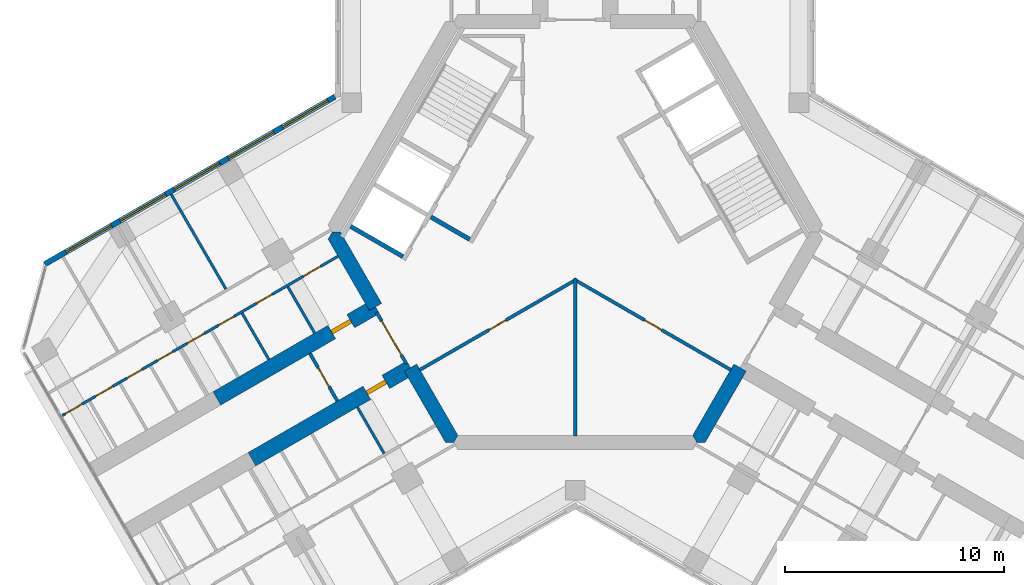
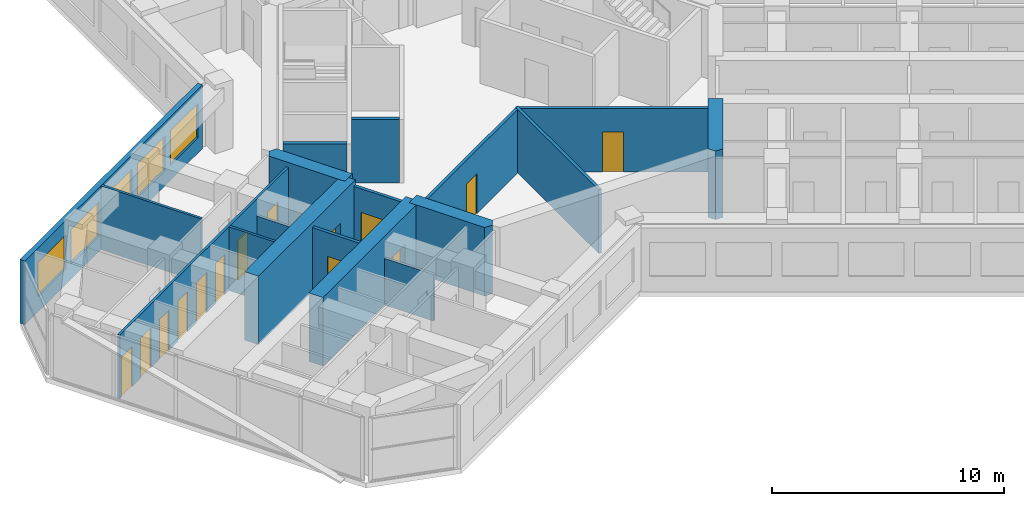
# One storey, part 9 of 16: 18 walls, 14 doors, 5 windows, 19 openings.
"""IFC4 building model written with IfcOpenShell, lengths in metres."""

from ifc_helpers import new_model, si_unit, direction, frame, frame_2d, origin, place, context, subcontext, project, spatial, polyline, rectangle, outline, extrude, material, layer, layer_set, type_object, element, fill, save


model = new_model("IFC4")

# Units and contexts
model_context = context("Model", 3, precision=1e-05, world=origin(), true_north=direction((0.0, 1.0)))
body_context = subcontext(model_context, "Body", "Model", "MODEL_VIEW")
ifc_project = project(units=[si_unit("LENGTHUNIT", "METRE"), si_unit("AREAUNIT", "SQUARE_METRE"), si_unit("VOLUMEUNIT", "CUBIC_METRE"), si_unit("PLANEANGLEUNIT", "RADIAN"), si_unit("MASSUNIT", "GRAM", prefix="KILO")], contexts=[model_context])

# Site, building, storey
site_placement = place(None, origin())
site = spatial("IfcSite", under=ifc_project, at=site_placement, CompositionType="ELEMENT")
building_placement = place(site_placement, origin())
building = spatial("IfcBuilding", under=site, at=building_placement, Name="Kosmar Iwan School Tower", CompositionType="ELEMENT")
storey_placement = place(building_placement, frame((0.0, 0.0, 219.0)))
storey = spatial("IfcBuildingStorey", under=building, at=storey_placement, Name="L55", CompositionType="ELEMENT", Elevation=219.0)

# Wall
ifc_material_1 = material(Name="Gypsum board on steel studs, fire-rated", Category="steel")
ifc_layer_1 = layer(ifc_material_1, 0.14990234375)
ifc_layer_set_1 = layer_set([ifc_layer_1], Name="Core room partition 150")
wall_type_1 = type_object("IfcWallType", Name="Core room partition 150", PredefinedType="PARTITIONING", material=ifc_layer_set_1)
wall_1_placement = place(storey_placement, frame((0.0, -9.294921875, 0.0), z_axis=(0.0, 0.0, 1.0), x_axis=(0.0, 1.0, 0.0)))
element("IfcWall", 1, at=wall_1_placement, inside=storey, type_object=wall_type_1, Name="Core room partition L55-CW5", PredefinedType="PARTITIONING", context=body_context, shape_type="SweptSolid", body=[
    extrude(rectangle(XDim=7.176025390625, YDim=0.14990234375, at=frame_2d((3.587890625, 0.0))), origin(), (0.0, 0.0, 1.0), 3.35009765625),
])

# Wall, opening, door
wall_2_placement = place(storey_placement, frame((-0.06494140625, -2.156494140625, 0.0), z_axis=(0.0, 0.0, 1.0), x_axis=(0.866024394272, -0.500001748523, 0.0)))
wall_2 = element("IfcWall", 2, at=wall_2_placement, inside=storey, type_object=wall_type_1, Name="Core room partition L55-CW6", PredefinedType="PARTITIONING", context=body_context, shape_type="SweptSolid", body=[
    extrude(rectangle(XDim=8.27294921875, YDim=0.14990234375, at=frame_2d((4.136474609375, 0.0))), origin(), (0.0, 0.0, 1.0), 3.35009765625),
])
opening_1_placement = place(wall_2_placement, frame((3.721923828125, 0.0, 0.0)))
opening_1 = element("IfcOpeningElement", 3, at=opening_1_placement, cuts=wall_2, Name="Opening D14", PredefinedType="OPENING", context=body_context, shape_type="SweptSolid", body=[
    extrude(rectangle(XDim=0.89990234375, YDim=2.10009765625, at=frame_2d((0.449951171875, 1.050048828125))), frame((0.0, 0.0869140625, 0.0), z_axis=(0.0, -1.0, 0.0), x_axis=(1.0, 0.0, 0.0)), (0.0, 0.0, 1.0), 0.173828125),
])
ifc_material_2 = material(Name="Timber fire door in steel frame", Category="steel")
door_type_1 = type_object("IfcDoorType", Name="Core room door 900x2100", OperationType="SINGLE_SWING_LEFT", PredefinedType="DOOR", material=ifc_material_2)
door_1_placement = place(opening_1_placement, origin())
door_1 = element("IfcDoor", 4, at=door_1_placement, inside=storey, type_object=door_type_1, Name="Bicycle repair room door L55 3", OperationType="SINGLE_SWING_RIGHT", OverallHeight=2.10009765625, OverallWidth=0.89990234375, PredefinedType="DOOR", context=body_context, shape_type="SweptSolid", body=[
    extrude(rectangle(XDim=0.89990234375, YDim=2.10009765625, at=frame_2d((0.449951171875, 1.050048828125))), frame((0.0, 0.02490234375, 0.0), z_axis=(0.0, -1.0, 0.0), x_axis=(1.0, 0.0, 0.0)), (0.0, 0.0, 1.0), 0.050048828125),
])
fill(opening_1, door_1)

wall_3_placement = place(storey_placement, frame((-7.099609375, -6.29296875, 0.0), z_axis=(0.0, 0.0, 1.0), x_axis=(0.866024394272, 0.500001748523, 0.0)))
wall_3 = element("IfcWall", 5, at=wall_3_placement, inside=storey, type_object=wall_type_1, Name="Core room partition L55-CW7", PredefinedType="PARTITIONING", context=body_context, shape_type="SweptSolid", body=[
    extrude(rectangle(XDim=8.27294921875, YDim=0.14990234375, at=frame_2d((4.136474609375, 0.0))), origin(), (0.0, 0.0, 1.0), 3.35009765625),
])
opening_2_placement = place(wall_3_placement, frame((3.652099609375, 0.0, 0.0)))
opening_2 = element("IfcOpeningElement", 6, at=opening_2_placement, cuts=wall_3, Name="Opening D14", PredefinedType="OPENING", context=body_context, shape_type="SweptSolid", body=[
    extrude(rectangle(XDim=0.89990234375, YDim=2.10009765625, at=frame_2d((0.449951171875, 1.050048828125))), frame((0.0, 0.0869140625, 0.0), z_axis=(0.0, -1.0, 0.0), x_axis=(1.0, 0.0, 0.0)), (0.0, 0.0, 1.0), 0.173828125),
])
door_2_placement = place(opening_2_placement, origin())
door_2 = element("IfcDoor", 7, at=door_2_placement, inside=storey, type_object=door_type_1, Name="Refuse and recycling room door L55 4", OperationType="SINGLE_SWING_LEFT", OverallHeight=2.10009765625, OverallWidth=0.89990234375, PredefinedType="DOOR", context=body_context, shape_type="SweptSolid", body=[
    extrude(rectangle(XDim=0.89990234375, YDim=2.10009765625, at=frame_2d((0.449951171875, 1.050048828125))), frame((0.0, 0.02490234375, 0.0), z_axis=(0.0, -1.0, 0.0), x_axis=(1.0, 0.0, 0.0)), (0.0, 0.0, 1.0), 0.050048828125),
])
fill(opening_2, door_2)

# Walls
ifc_material_3 = material(Name="Concrete C50/60", Category="concrete")
ifc_layer_2 = layer(ifc_material_3, 0.64990234375)
ifc_layer_set_2 = layer_set([ifc_layer_2], Name="Core wall 650")
wall_type_2 = type_object("IfcWallType", Name="Core wall 650", PredefinedType="SHEAR", material=ifc_layer_set_2)
wall_4_placement = place(storey_placement, origin())
element("IfcWall", 8, at=wall_4_placement, inside=storey, type_object=wall_type_2, Name="Core wall F210a", PredefinedType="SHEAR", context=body_context, shape_type="SweptSolid", body=[
    extrude(outline(polyline([(-9.395263671875, -3.576904296875), (-8.832275390625, -3.251953125), (-10.7099609375, 0.0), (-11.085205078125, 0.0), (-11.272705078125, -0.324951171875), (-9.395263671875, -3.576904296875)])), origin(), (0.0, 0.0, 1.0), 3.60009765625),
])
wall_5_placement = place(storey_placement, origin())
element("IfcWall", 9, at=wall_5_placement, inside=storey, type_object=wall_type_2, Name="Core wall F210b", PredefinedType="SHEAR", context=body_context, shape_type="SweptSolid", body=[
    extrude(outline(polyline([(-5.917724609375, -9.60009765625), (-5.54248046875, -9.60009765625), (-5.35498046875, -9.27490234375), (-7.232421875, -6.023193359375), (-7.79541015625, -6.34814453125), (-5.917724609375, -9.60009765625)])), origin(), (0.0, 0.0, 1.0), 3.60009765625),
])
wall_6_placement = place(storey_placement, origin())
element("IfcWall", 10, at=wall_6_placement, inside=storey, type_object=wall_type_2, Name="Core wall F330a", PredefinedType="SHEAR", context=body_context, shape_type="SweptSolid", body=[
    extrude(outline(polyline([(5.54248046875, -9.60009765625), (5.917724609375, -9.60009765625), (7.79541015625, -6.34814453125), (7.232421875, -6.023193359375), (5.35498046875, -9.27490234375), (5.54248046875, -9.60009765625)])), origin(), (0.0, 0.0, 1.0), 3.60009765625),
])

# Wall, opening, door
ifc_material_4 = material(Name="Concrete C50/60", Category="concrete")
ifc_layer_3 = layer(ifc_material_4, 0.699951171875)
ifc_layer_set_3 = layer_set([ifc_layer_3], Name="Corridor buttress wall 700")
wall_type_3 = type_object("IfcWallType", Name="Corridor buttress wall 700", PredefinedType="SHEAR", material=ifc_layer_set_3)
wall_7_placement = place(storey_placement, frame((-7.513916015625, -6.185546875, 0.0), z_axis=(0.0, 0.0, 1.0), x_axis=(-0.866019549707, -0.500010139422, 0.0)))
wall_7 = element("IfcWall", 11, at=wall_7_placement, inside=storey, type_object=wall_type_3, Name="Corridor wall BL", PredefinedType="SHEAR", context=body_context, shape_type="SweptSolid", body=[
    extrude(rectangle(XDim=8.349853515625, YDim=0.699951171875, at=frame_2d((4.1748046875, 0.0))), origin(), (0.0, 0.0, 1.0), 3.60009765625),
])
opening_3_placement = place(wall_7_placement, frame((1.300048828125, 0.0, 0.0)))
opening_3 = element("IfcOpeningElement", 12, at=opening_3_placement, cuts=wall_7, Name="Opening D1", PredefinedType="OPENING", context=body_context, shape_type="SweptSolid", body=[
    extrude(rectangle(XDim=1.0, YDim=2.10009765625, at=frame_2d((0.5, 1.050048828125))), frame((0.0, 0.362060546875, 0.0), z_axis=(0.0, -1.0, 0.0), x_axis=(1.0, 0.0, 0.0)), (0.0, 0.0, 1.0), 0.723876953125),
])
ifc_material_5 = material(Name="Timber fire door in steel frame", Category="steel")
door_type_2 = type_object("IfcDoorType", Name="Flat entrance door 1000x2100", OperationType="SINGLE_SWING_LEFT", PredefinedType="DOOR", material=ifc_material_5)
door_3_placement = place(opening_3_placement, origin())
door_3 = element("IfcDoor", 13, at=door_3_placement, inside=storey, type_object=door_type_2, Name="Flat L55-BL1 entrance door", OperationType="SINGLE_SWING_RIGHT", OverallHeight=2.10009765625, OverallWidth=1.0, PredefinedType="DOOR", context=body_context, shape_type="SweptSolid", body=[
    extrude(rectangle(XDim=1.0, YDim=2.10009765625, at=frame_2d((0.5, 1.050048828125))), frame((0.0, 0.10009765625, 0.0), z_axis=(0.0, -1.0, 0.0), x_axis=(1.0, 0.0, 0.0)), (0.0, 0.0, 1.0), 0.199951171875),
])
fill(opening_3, door_3)

wall_8_placement = place(storey_placement, frame((-9.11376953125, -3.414306640625, 0.0), z_axis=(0.0, 0.0, 1.0), x_axis=(-0.866026859388, -0.499997478812, 0.0)))
wall_8 = element("IfcWall", 14, at=wall_8_placement, inside=storey, type_object=wall_type_3, Name="Corridor wall BR", PredefinedType="SHEAR", context=body_context, shape_type="SweptSolid", body=[
    extrude(rectangle(XDim=8.35009765625, YDim=0.699951171875, at=frame_2d((4.175048828125, 0.0))), origin(), (0.0, 0.0, 1.0), 3.60009765625),
])
opening_4_placement = place(wall_8_placement, frame((1.300048828125, 0.0, 0.0)))
opening_4 = element("IfcOpeningElement", 15, at=opening_4_placement, cuts=wall_8, Name="Opening D1", PredefinedType="OPENING", context=body_context, shape_type="SweptSolid", body=[
    extrude(rectangle(XDim=1.0, YDim=2.10009765625, at=frame_2d((0.5, 1.050048828125))), frame((0.0, 0.362060546875, 0.0), z_axis=(0.0, -1.0, 0.0), x_axis=(1.0, 0.0, 0.0)), (0.0, 0.0, 1.0), 0.723876953125),
])
door_4_placement = place(opening_4_placement, origin())
door_4 = element("IfcDoor", 16, at=door_4_placement, inside=storey, type_object=door_type_2, Name="Flat L55-BR1 entrance door", OperationType="SINGLE_SWING_LEFT", OverallHeight=2.10009765625, OverallWidth=1.0, PredefinedType="DOOR", context=body_context, shape_type="SweptSolid", body=[
    extrude(rectangle(XDim=1.0, YDim=2.10009765625, at=frame_2d((0.5, 1.050048828125))), frame((0.0, 0.10009765625, 0.0), z_axis=(0.0, -1.0, 0.0), x_axis=(1.0, 0.0, 0.0)), (0.0, 0.0, 1.0), 0.199951171875),
])
fill(opening_4, door_4)

ifc_material_6 = material(Name="Gypsum board on steel studs, fire-rated", Category="steel")
ifc_layer_4 = layer(ifc_material_6, 0.14990234375)
ifc_layer_set_4 = layer_set([ifc_layer_4], Name="Corridor end wall 150")
wall_type_4 = type_object("IfcWallType", Name="Corridor end wall 150", PredefinedType="PARTITIONING", material=ifc_layer_set_4)
wall_9_placement = place(storey_placement, frame((-12.099853515625, -5.54248046875, 0.0), z_axis=(0.0, 0.0, 1.0), x_axis=(0.500004234368, -0.866022959057, 0.0)))
wall_9 = element("IfcWall", 17, at=wall_9_placement, inside=storey, type_object=wall_type_4, Name="Partition L55-B-CE", PredefinedType="PARTITIONING", context=body_context, shape_type="SweptSolid", body=[
    extrude(rectangle(XDim=2.5, YDim=0.14990234375, at=frame_2d((1.25, 0.0))), origin(), (0.0, 0.0, 1.0), 3.35009765625),
])
opening_5_placement = place(wall_9_placement, frame((0.75, 0.0, 0.0)))
opening_5 = element("IfcOpeningElement", 18, at=opening_5_placement, cuts=wall_9, Name="Opening D13", PredefinedType="OPENING", context=body_context, shape_type="SweptSolid", body=[
    extrude(rectangle(XDim=1.0, YDim=2.10009765625, at=frame_2d((0.5, 1.050048828125))), frame((0.0, 0.0869140625, 0.0), z_axis=(0.0, -1.0, 0.0), x_axis=(1.0, 0.0, 0.0)), (0.0, 0.0, 1.0), 0.173828125),
])
ifc_material_7 = material(Name="Timber fire door with vision panel", Category="wood")
door_type_3 = type_object("IfcDoorType", Name="Corridor end door 1000x2100", OperationType="SINGLE_SWING_LEFT", PredefinedType="DOOR", material=ifc_material_7)
door_5_placement = place(opening_5_placement, origin())
door_5 = element("IfcDoor", 19, at=door_5_placement, inside=storey, type_object=door_type_3, Name="Hobby workshop door L55-B", OperationType="SINGLE_SWING_LEFT", OverallHeight=2.10009765625, OverallWidth=1.0, PredefinedType="DOOR", context=body_context, shape_type="SweptSolid", body=[
    extrude(rectangle(XDim=1.0, YDim=2.10009765625, at=frame_2d((0.5, 1.050048828125))), frame((0.0, 0.02490234375, 0.0), z_axis=(0.0, -1.0, 0.0), x_axis=(1.0, 0.0, 0.0)), (0.0, 0.0, 1.0), 0.050048828125),
])
fill(opening_5, door_5)

ifc_material_8 = material(Name="Steel framed glazed screen", Category="steel")
ifc_layer_5 = layer(ifc_material_8, 0.14990234375)
ifc_layer_set_5 = layer_set([ifc_layer_5], Name="Corridor screen wall 150")
wall_type_5 = type_object("IfcWallType", Name="Corridor screen wall 150", PredefinedType="PARTITIONING", material=ifc_layer_set_5)
wall_10_placement = place(storey_placement, frame((-9.0537109375, -3.66845703125, 0.0), z_axis=(0.0, 0.0, 1.0), x_axis=(0.499980770555, -0.866036505625, 0.0)))
wall_10 = element("IfcWall", 20, at=wall_10_placement, inside=storey, type_object=wall_type_5, Name="Corridor screen B L55", PredefinedType="PARTITIONING", context=body_context, shape_type="SweptSolid", body=[
    extrude(rectangle(XDim=2.69970703125, YDim=0.14990234375, at=frame_2d((1.349853515625, 0.0))), origin(), (0.0, 0.0, 1.0), 3.35009765625),
])
opening_6_placement = place(wall_10_placement, frame((0.449951171875, 0.0, 0.0)))
opening_6 = element("IfcOpeningElement", 21, at=opening_6_placement, cuts=wall_10, Name="Opening D9", PredefinedType="OPENING", context=body_context, shape_type="SweptSolid", body=[
    extrude(rectangle(XDim=1.800048828125, YDim=2.10009765625, at=frame_2d((0.89990234375, 1.050048828125))), frame((0.0, 0.0869140625, 0.0), z_axis=(0.0, -1.0, 0.0), x_axis=(1.0, 0.0, 0.0)), (0.0, 0.0, 1.0), 0.173828125),
])
ifc_material_9 = material(Name="Steel framed glazed smoke door", Category="steel")
door_type_4 = type_object("IfcDoorType", Name="Corridor smoke door pair 1800x2100", OperationType="DOUBLE_DOOR_DOUBLE_SWING", PredefinedType="DOOR", material=ifc_material_9)
door_6_placement = place(opening_6_placement, origin())
door_6 = element("IfcDoor", 22, at=door_6_placement, inside=storey, type_object=door_type_4, Name="Corridor doors B L55", OperationType="DOUBLE_DOOR_DOUBLE_SWING", OverallHeight=2.10009765625, OverallWidth=1.800048828125, PredefinedType="DOOR", context=body_context, shape_type="SweptSolid", body=[
    extrude(rectangle(XDim=1.800048828125, YDim=2.10009765625, at=frame_2d((0.89990234375, 1.050048828125))), frame((0.0, 0.02490234375, 0.0), z_axis=(0.0, -1.0, 0.0), x_axis=(1.0, 0.0, 0.0)), (0.0, 0.0, 1.0), 0.050048828125),
])
fill(opening_6, door_6)

# Wall
ifc_material_10 = material(Name="Gypsum board on steel studs", Category="steel")
ifc_layer_6 = layer(ifc_material_10, 0.1201171875)
ifc_layer_set_6 = layer_set([ifc_layer_6], Name="Dwelling partition 120")
wall_type_6 = type_object("IfcWallType", Name="Dwelling partition 120", PredefinedType="PARTITIONING", material=ifc_layer_set_6)
wall_11_placement = place(storey_placement, frame((-9.93701171875, -7.98876953125, 0.0), z_axis=(0.0, 0.0, 1.0), x_axis=(0.500077547548, -0.865980627057, 0.0)))
element("IfcWall", 23, at=wall_11_placement, inside=storey, type_object=wall_type_6, Name="Partition L55-BL1-Y1", PredefinedType="PARTITIONING", context=body_context, shape_type="SweptSolid", body=[
    extrude(rectangle(XDim=2.43994140625, YDim=0.1201171875, at=frame_2d((1.219970703125, 0.0))), origin(), (0.0, 0.0, 1.0), 2.449951171875),
])

# Wall, openings, doors
wall_12_placement = place(storey_placement, frame((-10.8203125, -1.108642578125, 0.0), z_axis=(0.0, 0.0, 1.0), x_axis=(-0.866025425371, -0.499999962611, 0.0)))
wall_12 = element("IfcWall", 24, at=wall_12_placement, inside=storey, type_object=wall_type_6, Name="Partition L55-BR1-W1", PredefinedType="PARTITIONING", context=body_context, shape_type="SweptSolid", body=[
    extrude(rectangle(XDim=14.52001953125, YDim=0.1201171875, at=frame_2d((7.260009765625, 0.0))), origin(), (0.0, 0.0, 1.0), 3.35009765625),
])
opening_7_placement = place(wall_12_placement, frame((0.925048828125, 0.0, 0.0)))
opening_7 = element("IfcOpeningElement", 25, at=opening_7_placement, cuts=wall_12, Name="Opening D2", PredefinedType="OPENING", context=body_context, shape_type="SweptSolid", body=[
    extrude(rectangle(XDim=0.89990234375, YDim=2.10009765625, at=frame_2d((0.449951171875, 1.050048828125))), frame((0.0, 0.072021484375, 0.0), z_axis=(0.0, -1.0, 0.0), x_axis=(1.0, 0.0, 0.0)), (0.0, 0.0, 1.0), 0.14404296875),
])
opening_8_placement = place(wall_12_placement, frame((3.47998046875, 0.0, 0.0)))
opening_8 = element("IfcOpeningElement", 26, at=opening_8_placement, cuts=wall_12, Name="Opening D3", PredefinedType="OPENING", context=body_context, shape_type="SweptSolid", body=[
    extrude(rectangle(XDim=0.800048828125, YDim=2.10009765625, at=frame_2d((0.39990234375, 1.050048828125))), frame((0.0, 0.072021484375, 0.0), z_axis=(0.0, -1.0, 0.0), x_axis=(1.0, 0.0, 0.0)), (0.0, 0.0, 1.0), 0.14404296875),
])
opening_9_placement = place(wall_12_placement, frame((5.48828125, 0.0, 0.0)))
opening_9 = element("IfcOpeningElement", 27, at=opening_9_placement, cuts=wall_12, Name="Opening D3", PredefinedType="OPENING", context=body_context, shape_type="SweptSolid", body=[
    extrude(rectangle(XDim=0.800048828125, YDim=2.10009765625, at=frame_2d((0.39990234375, 1.050048828125))), frame((0.0, 0.072021484375, 0.0), z_axis=(0.0, -1.0, 0.0), x_axis=(1.0, 0.0, 0.0)), (0.0, 0.0, 1.0), 0.14404296875),
])
opening_10_placement = place(wall_12_placement, frame((7.044921875, 0.0, 0.0)))
opening_10 = element("IfcOpeningElement", 28, at=opening_10_placement, cuts=wall_12, Name="Opening D2", PredefinedType="OPENING", context=body_context, shape_type="SweptSolid", body=[
    extrude(rectangle(XDim=0.89990234375, YDim=2.10009765625, at=frame_2d((0.449951171875, 1.050048828125))), frame((0.0, 0.072021484375, 0.0), z_axis=(0.0, -1.0, 0.0), x_axis=(1.0, 0.0, 0.0)), (0.0, 0.0, 1.0), 0.14404296875),
])
opening_11_placement = place(wall_12_placement, frame((8.70166015625, 0.0, 0.0)))
opening_11 = element("IfcOpeningElement", 29, at=opening_11_placement, cuts=wall_12, Name="Opening D3", PredefinedType="OPENING", context=body_context, shape_type="SweptSolid", body=[
    extrude(rectangle(XDim=0.800048828125, YDim=2.10009765625, at=frame_2d((0.39990234375, 1.050048828125))), frame((0.0, 0.072021484375, 0.0), z_axis=(0.0, -1.0, 0.0), x_axis=(1.0, 0.0, 0.0)), (0.0, 0.0, 1.0), 0.14404296875),
])
opening_12_placement = place(wall_12_placement, frame((10.308349609375, 0.0, 0.0)))
opening_12 = element("IfcOpeningElement", 30, at=opening_12_placement, cuts=wall_12, Name="Opening D3", PredefinedType="OPENING", context=body_context, shape_type="SweptSolid", body=[
    extrude(rectangle(XDim=0.800048828125, YDim=2.10009765625, at=frame_2d((0.39990234375, 1.050048828125))), frame((0.0, 0.072021484375, 0.0), z_axis=(0.0, -1.0, 0.0), x_axis=(1.0, 0.0, 0.0)), (0.0, 0.0, 1.0), 0.14404296875),
])
opening_13_placement = place(wall_12_placement, frame((11.864990234375, 0.0, 0.0)))
opening_13 = element("IfcOpeningElement", 31, at=opening_13_placement, cuts=wall_12, Name="Opening D2", PredefinedType="OPENING", context=body_context, shape_type="SweptSolid", body=[
    extrude(rectangle(XDim=0.89990234375, YDim=2.10009765625, at=frame_2d((0.449951171875, 1.050048828125))), frame((0.0, 0.072021484375, 0.0), z_axis=(0.0, -1.0, 0.0), x_axis=(1.0, 0.0, 0.0)), (0.0, 0.0, 1.0), 0.14404296875),
])
opening_14_placement = place(wall_12_placement, frame((13.4716796875, 0.0, 0.0)))
opening_14 = element("IfcOpeningElement", 32, at=opening_14_placement, cuts=wall_12, Name="Opening D2", PredefinedType="OPENING", context=body_context, shape_type="SweptSolid", body=[
    extrude(rectangle(XDim=0.89990234375, YDim=2.10009765625, at=frame_2d((0.449951171875, 1.050048828125))), frame((0.0, 0.072021484375, 0.0), z_axis=(0.0, -1.0, 0.0), x_axis=(1.0, 0.0, 0.0)), (0.0, 0.0, 1.0), 0.14404296875),
])
ifc_material_11 = material(Name="Timber door in timber frame", Category="wood")
door_type_5 = type_object("IfcDoorType", Name="Internal door 900x2100", OperationType="SINGLE_SWING_LEFT", PredefinedType="DOOR", material=ifc_material_11)
door_7_placement = place(opening_7_placement, origin())
door_7 = element("IfcDoor", 33, at=door_7_placement, inside=storey, type_object=door_type_5, Name="Entrance hall door L55-BR1-S1", OperationType="SINGLE_SWING_RIGHT", OverallHeight=2.10009765625, OverallWidth=0.89990234375, PredefinedType="DOOR", context=body_context, shape_type="SweptSolid", body=[
    extrude(rectangle(XDim=0.89990234375, YDim=2.10009765625, at=frame_2d((0.449951171875, 1.050048828125))), frame((0.0, 0.02490234375, 0.0), z_axis=(0.0, -1.0, 0.0), x_axis=(1.0, 0.0, 0.0)), (0.0, 0.0, 1.0), 0.050048828125),
])
fill(opening_7, door_7)
door_8_placement = place(opening_10_placement, origin())
door_8 = element("IfcDoor", 34, at=door_8_placement, inside=storey, type_object=door_type_5, Name="Pantry door L55-BR1-S4", OperationType="SINGLE_SWING_LEFT", OverallHeight=2.10009765625, OverallWidth=0.89990234375, PredefinedType="DOOR", context=body_context, shape_type="SweptSolid", body=[
    extrude(rectangle(XDim=0.89990234375, YDim=2.10009765625, at=frame_2d((0.449951171875, 1.050048828125))), frame((0.0, 0.02490234375, 0.0), z_axis=(0.0, -1.0, 0.0), x_axis=(1.0, 0.0, 0.0)), (0.0, 0.0, 1.0), 0.050048828125),
])
fill(opening_10, door_8)
door_9_placement = place(opening_13_placement, origin())
door_9 = element("IfcDoor", 35, at=door_9_placement, inside=storey, type_object=door_type_5, Name="Utility room door L55-BR1-S7", OperationType="SINGLE_SWING_RIGHT", OverallHeight=2.10009765625, OverallWidth=0.89990234375, PredefinedType="DOOR", context=body_context, shape_type="SweptSolid", body=[
    extrude(rectangle(XDim=0.89990234375, YDim=2.10009765625, at=frame_2d((0.449951171875, 1.050048828125))), frame((0.0, 0.02490234375, 0.0), z_axis=(0.0, -1.0, 0.0), x_axis=(1.0, 0.0, 0.0)), (0.0, 0.0, 1.0), 0.050048828125),
])
fill(opening_13, door_9)
door_10_placement = place(opening_14_placement, origin())
door_10 = element("IfcDoor", 36, at=door_10_placement, inside=storey, type_object=door_type_5, Name="Dressing room door L55-BR1-S8", OperationType="SINGLE_SWING_RIGHT", OverallHeight=2.10009765625, OverallWidth=0.89990234375, PredefinedType="DOOR", context=body_context, shape_type="SweptSolid", body=[
    extrude(rectangle(XDim=0.89990234375, YDim=2.10009765625, at=frame_2d((0.449951171875, 1.050048828125))), frame((0.0, 0.02490234375, 0.0), z_axis=(0.0, -1.0, 0.0), x_axis=(1.0, 0.0, 0.0)), (0.0, 0.0, 1.0), 0.050048828125),
])
fill(opening_14, door_10)
ifc_material_12 = material(Name="Timber door in timber frame", Category="wood")
door_type_6 = type_object("IfcDoorType", Name="Sanitary room door 800x2100", OperationType="SINGLE_SWING_LEFT", PredefinedType="DOOR", material=ifc_material_12)
door_11_placement = place(opening_8_placement, origin())
door_11 = element("IfcDoor", 37, at=door_11_placement, inside=storey, type_object=door_type_6, Name="Bathroom door L55-BR1-S2", OperationType="SINGLE_SWING_LEFT", OverallHeight=2.10009765625, OverallWidth=0.800048828125, PredefinedType="DOOR", context=body_context, shape_type="SweptSolid", body=[
    extrude(rectangle(XDim=0.800048828125, YDim=2.10009765625, at=frame_2d((0.39990234375, 1.050048828125))), frame((0.0, 0.02490234375, 0.0), z_axis=(0.0, -1.0, 0.0), x_axis=(1.0, 0.0, 0.0)), (0.0, 0.0, 1.0), 0.050048828125),
])
fill(opening_8, door_11)
door_12_placement = place(opening_9_placement, origin())
door_12 = element("IfcDoor", 38, at=door_12_placement, inside=storey, type_object=door_type_6, Name="Shower room door L55-BR1-S3", OperationType="SINGLE_SWING_RIGHT", OverallHeight=2.10009765625, OverallWidth=0.800048828125, PredefinedType="DOOR", context=body_context, shape_type="SweptSolid", body=[
    extrude(rectangle(XDim=0.800048828125, YDim=2.10009765625, at=frame_2d((0.39990234375, 1.050048828125))), frame((0.0, 0.02490234375, 0.0), z_axis=(0.0, -1.0, 0.0), x_axis=(1.0, 0.0, 0.0)), (0.0, 0.0, 1.0), 0.050048828125),
])
fill(opening_9, door_12)
door_13_placement = place(opening_11_placement, origin())
door_13 = element("IfcDoor", 39, at=door_13_placement, inside=storey, type_object=door_type_6, Name="WC door L55-BR1-S5", OperationType="SINGLE_SWING_RIGHT", OverallHeight=2.10009765625, OverallWidth=0.800048828125, PredefinedType="DOOR", context=body_context, shape_type="SweptSolid", body=[
    extrude(rectangle(XDim=0.800048828125, YDim=2.10009765625, at=frame_2d((0.39990234375, 1.050048828125))), frame((0.0, 0.02490234375, 0.0), z_axis=(0.0, -1.0, 0.0), x_axis=(1.0, 0.0, 0.0)), (0.0, 0.0, 1.0), 0.050048828125),
])
fill(opening_11, door_13)
door_14_placement = place(opening_12_placement, origin())
door_14 = element("IfcDoor", 40, at=door_14_placement, inside=storey, type_object=door_type_6, Name="Store door L55-BR1-S6", OperationType="SINGLE_SWING_LEFT", OverallHeight=2.10009765625, OverallWidth=0.800048828125, PredefinedType="DOOR", context=body_context, shape_type="SweptSolid", body=[
    extrude(rectangle(XDim=0.800048828125, YDim=2.10009765625, at=frame_2d((0.39990234375, 1.050048828125))), frame((0.0, 0.02490234375, 0.0), z_axis=(0.0, -1.0, 0.0), x_axis=(1.0, 0.0, 0.0)), (0.0, 0.0, 1.0), 0.050048828125),
])
fill(opening_12, door_14)

# Walls
wall_13_placement = place(storey_placement, frame((-15.931884765625, -2.60498046875, 0.0), z_axis=(0.0, 0.0, 1.0), x_axis=(-0.500011847778, 0.866018563358, 0.0)))
element("IfcWall", 41, at=wall_13_placement, inside=storey, type_object=wall_type_6, Name="Partition L55-BR1-X1", PredefinedType="PARTITIONING", context=body_context, shape_type="SweptSolid", body=[
    extrude(rectangle(XDim=4.990234375, YDim=0.1201171875, at=frame_2d((2.4951171875, 0.0))), origin(), (0.0, 0.0, 1.0), 3.35009765625),
])
wall_14_placement = place(storey_placement, frame((-11.886962890625, -4.611328125, 0.0), z_axis=(0.0, 0.0, 1.0), x_axis=(-0.499959183527, 0.866048967903, 0.0)))
element("IfcWall", 42, at=wall_14_placement, inside=storey, type_object=wall_type_6, Name="Partition L55-BR1-Y1", PredefinedType="PARTITIONING", context=body_context, shape_type="SweptSolid", body=[
    extrude(rectangle(XDim=2.440185546875, YDim=0.1201171875, at=frame_2d((1.22021484375, 0.0))), origin(), (0.0, 0.0, 1.0), 2.449951171875),
])
wall_15_placement = place(storey_placement, frame((-13.97412109375, -5.816162109375, 0.0), z_axis=(0.0, 0.0, 1.0), x_axis=(-0.500002508028, 0.866023955769, 0.0)))
element("IfcWall", 43, at=wall_15_placement, inside=storey, type_object=wall_type_6, Name="Partition L55-BR1-Y2", PredefinedType="PARTITIONING", context=body_context, shape_type="SweptSolid", body=[
    extrude(rectangle(XDim=2.43994140625, YDim=0.1201171875, at=frame_2d((1.219970703125, 0.0))), origin(), (0.0, 0.0, 1.0), 3.35009765625),
])

# Wall, openings, windows
ifc_material_13 = material(Name="Black aluminium rainscreen on insulated framing", Category="aluminium")
ifc_layer_7 = layer(ifc_material_13, 0.25)
ifc_layer_set_7 = layer_set([ifc_layer_7], Name="External wall rainscreen 250")
wall_type_7 = type_object("IfcWallType", Name="External wall rainscreen 250", PredefinedType="SOLIDWALL", material=ifc_layer_set_7)
wall_16_placement = place(storey_placement, frame((-10.962890625, 6.170166015625, 0.0), z_axis=(0.0, 0.0, 1.0), x_axis=(-0.866025637253, -0.499999595621, 0.0)))
wall_16 = element("IfcWall", 44, at=wall_16_placement, inside=storey, type_object=wall_type_7, Name="External wall BR L55", PredefinedType="SOLIDWALL", context=body_context, shape_type="SweptSolid", body=[
    extrude(rectangle(XDim=15.2763671875, YDim=0.25, at=frame_2d((7.63818359375, 0.0))), origin(), (0.0, 0.0, 1.0), 3.35009765625),
])
opening_15_placement = place(wall_16_placement, frame((0.365966796875, 0.0, 0.800048828125)))
opening_15 = element("IfcOpeningElement", 45, at=opening_15_placement, cuts=wall_16, Name="Opening W5", PredefinedType="OPENING", context=body_context, shape_type="SweptSolid", body=[
    extrude(rectangle(XDim=2.39990234375, YDim=1.800048828125, at=frame_2d((1.199951171875, 0.89990234375))), frame((0.0, 0.136962890625, 0.0), z_axis=(0.0, -1.0, 0.0), x_axis=(1.0, 0.0, 0.0)), (0.0, 0.0, 1.0), 0.27392578125),
])
opening_16_placement = place(wall_16_placement, frame((3.216064453125, 0.0, 0.800048828125)))
opening_16 = element("IfcOpeningElement", 46, at=opening_16_placement, cuts=wall_16, Name="Opening W5", PredefinedType="OPENING", context=body_context, shape_type="SweptSolid", body=[
    extrude(rectangle(XDim=2.39990234375, YDim=1.800048828125, at=frame_2d((1.199951171875, 0.89990234375))), frame((0.0, 0.136962890625, 0.0), z_axis=(0.0, -1.0, 0.0), x_axis=(1.0, 0.0, 0.0)), (0.0, 0.0, 1.0), 0.27392578125),
])
opening_17_placement = place(wall_16_placement, frame((6.06591796875, 0.0, 0.800048828125)))
opening_17 = element("IfcOpeningElement", 47, at=opening_17_placement, cuts=wall_16, Name="Opening W5", PredefinedType="OPENING", context=body_context, shape_type="SweptSolid", body=[
    extrude(rectangle(XDim=2.39990234375, YDim=1.800048828125, at=frame_2d((1.199951171875, 0.89990234375))), frame((0.0, 0.136962890625, 0.0), z_axis=(0.0, -1.0, 0.0), x_axis=(1.0, 0.0, 0.0)), (0.0, 0.0, 1.0), 0.27392578125),
])
opening_18_placement = place(wall_16_placement, frame((8.916015625, 0.0, 0.800048828125)))
opening_18 = element("IfcOpeningElement", 48, at=opening_18_placement, cuts=wall_16, Name="Opening W5", PredefinedType="OPENING", context=body_context, shape_type="SweptSolid", body=[
    extrude(rectangle(XDim=2.39990234375, YDim=1.800048828125, at=frame_2d((1.199951171875, 0.89990234375))), frame((0.0, 0.136962890625, 0.0), z_axis=(0.0, -1.0, 0.0), x_axis=(1.0, 0.0, 0.0)), (0.0, 0.0, 1.0), 0.27392578125),
])
opening_19_placement = place(wall_16_placement, frame((11.76611328125, 0.0, 0.800048828125)))
opening_19 = element("IfcOpeningElement", 49, at=opening_19_placement, cuts=wall_16, Name="Opening W5", PredefinedType="OPENING", context=body_context, shape_type="SweptSolid", body=[
    extrude(rectangle(XDim=2.39990234375, YDim=1.800048828125, at=frame_2d((1.199951171875, 0.89990234375))), frame((0.0, 0.136962890625, 0.0), z_axis=(0.0, -1.0, 0.0), x_axis=(1.0, 0.0, 0.0)), (0.0, 0.0, 1.0), 0.27392578125),
])
ifc_material_14 = material(Name="Black aluminium frame with dark triple glazing", Category="aluminium")
window_type = type_object("IfcWindowType", Name="Window 2400x1800", PartitioningType="SINGLE_PANEL", PredefinedType="WINDOW", material=ifc_material_14)
window_1_placement = place(opening_15_placement, origin())
window_1 = element("IfcWindow", 50, at=window_1_placement, inside=storey, type_object=window_type, Name="Window BR L55 -1", OverallHeight=1.800048828125, OverallWidth=2.39990234375, PartitioningType="SINGLE_PANEL", PredefinedType="WINDOW", context=body_context, shape_type="SweptSolid", body=[
    extrude(rectangle(XDim=2.39990234375, YDim=1.800048828125, at=frame_2d((1.199951171875, 0.89990234375))), frame((0.0, 0.030029296875, 0.0), z_axis=(0.0, -1.0, 0.0), x_axis=(1.0, 0.0, 0.0)), (0.0, 0.0, 1.0), 0.06005859375),
])
fill(opening_15, window_1)
window_2_placement = place(opening_16_placement, origin())
window_2 = element("IfcWindow", 51, at=window_2_placement, inside=storey, type_object=window_type, Name="Window BR L55 0", OverallHeight=1.800048828125, OverallWidth=2.39990234375, PartitioningType="SINGLE_PANEL", PredefinedType="WINDOW", context=body_context, shape_type="SweptSolid", body=[
    extrude(rectangle(XDim=2.39990234375, YDim=1.800048828125, at=frame_2d((1.199951171875, 0.89990234375))), frame((0.0, 0.030029296875, 0.0), z_axis=(0.0, -1.0, 0.0), x_axis=(1.0, 0.0, 0.0)), (0.0, 0.0, 1.0), 0.06005859375),
])
fill(opening_16, window_2)
window_3_placement = place(opening_17_placement, origin())
window_3 = element("IfcWindow", 52, at=window_3_placement, inside=storey, type_object=window_type, Name="Window BR L55 1", OverallHeight=1.800048828125, OverallWidth=2.39990234375, PartitioningType="SINGLE_PANEL", PredefinedType="WINDOW", context=body_context, shape_type="SweptSolid", body=[
    extrude(rectangle(XDim=2.39990234375, YDim=1.800048828125, at=frame_2d((1.199951171875, 0.89990234375))), frame((0.0, 0.030029296875, 0.0), z_axis=(0.0, -1.0, 0.0), x_axis=(1.0, 0.0, 0.0)), (0.0, 0.0, 1.0), 0.06005859375),
])
fill(opening_17, window_3)
window_4_placement = place(opening_18_placement, origin())
window_4 = element("IfcWindow", 53, at=window_4_placement, inside=storey, type_object=window_type, Name="Window BR L55 2", OverallHeight=1.800048828125, OverallWidth=2.39990234375, PartitioningType="SINGLE_PANEL", PredefinedType="WINDOW", context=body_context, shape_type="SweptSolid", body=[
    extrude(rectangle(XDim=2.39990234375, YDim=1.800048828125, at=frame_2d((1.199951171875, 0.89990234375))), frame((0.0, 0.030029296875, 0.0), z_axis=(0.0, -1.0, 0.0), x_axis=(1.0, 0.0, 0.0)), (0.0, 0.0, 1.0), 0.06005859375),
])
fill(opening_18, window_4)
window_5_placement = place(opening_19_placement, origin())
window_5 = element("IfcWindow", 54, at=window_5_placement, inside=storey, type_object=window_type, Name="Window BR L55 3", OverallHeight=1.800048828125, OverallWidth=2.39990234375, PartitioningType="SINGLE_PANEL", PredefinedType="WINDOW", context=body_context, shape_type="SweptSolid", body=[
    extrude(rectangle(XDim=2.39990234375, YDim=1.800048828125, at=frame_2d((1.199951171875, 0.89990234375))), frame((0.0, 0.030029296875, 0.0), z_axis=(0.0, -1.0, 0.0), x_axis=(1.0, 0.0, 0.0)), (0.0, 0.0, 1.0), 0.06005859375),
])
fill(opening_19, window_5)

# Walls
ifc_material_15 = material(Name="Concrete block masonry", Category="masonry")
ifc_layer_8 = layer(ifc_material_15, 0.199951171875)
ifc_layer_set_8 = layer_set([ifc_layer_8], Name="Fire lobby wall 200")
wall_type_8 = type_object("IfcWallType", Name="Fire lobby wall 200", PredefinedType="PARTITIONING", material=ifc_layer_set_8)
wall_17_placement = place(storey_placement, frame((-4.814208984375, -0.33837890625, 0.0), z_axis=(0.0, 0.0, 1.0), x_axis=(-0.865969381856, 0.500097020274, 0.0)))
element("IfcWall", 55, at=wall_17_placement, inside=storey, type_object=wall_type_8, Name="Firefighting lobby wall ST2", PredefinedType="PARTITIONING", context=body_context, shape_type="SweptSolid", body=[
    extrude(rectangle(XDim=2.0498046875, YDim=0.199951171875, at=frame_2d((1.02490234375, 0.0))), origin(), (0.0, 0.0, 1.0), 3.35009765625),
])
ifc_material_16 = material(Name="Concrete C50/60", Category="concrete")
ifc_layer_9 = layer(ifc_material_16, 0.199951171875)
ifc_layer_set_9 = layer_set([ifc_layer_9], Name="Lift shaft wall 200")
wall_type_9 = type_object("IfcWallType", Name="Lift shaft wall 200", PredefinedType="SHEAR", material=ifc_layer_set_9)
wall_18_placement = place(storey_placement, frame((-7.862548828125, -1.118408203125, 0.0), z_axis=(0.0, 0.0, 1.0), x_axis=(-0.866027397988, 0.499996545922, 0.0)))
element("IfcWall", 56, at=wall_18_placement, inside=storey, type_object=wall_type_9, Name="Lift shaft wall AB 2", PredefinedType="SHEAR", context=body_context, shape_type="SweptSolid", body=[
    extrude(rectangle(XDim=2.75, YDim=0.199951171875, at=frame_2d((1.375, 0.0))), origin(), (0.0, 0.0, 1.0), 3.60009765625),
])

save(model, "model.ifc")
